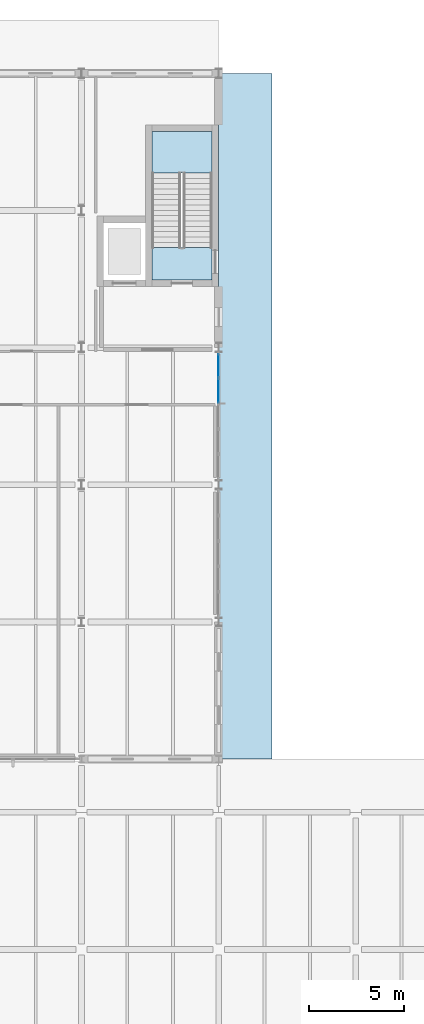
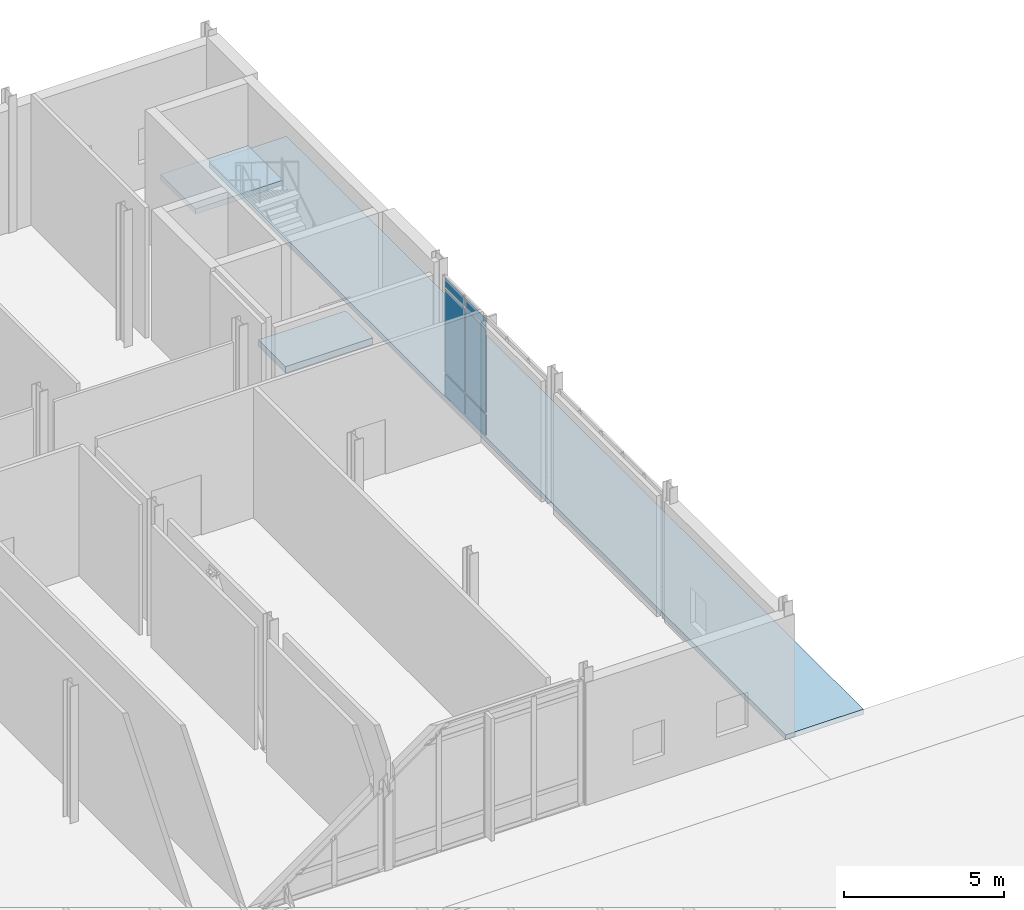
# One storey, part 48 of 89: 6 plates, 3 slabs, 2 elements without a shape of their own.
"""IFC4 building model written with IfcOpenShell, lengths in metres."""

from ifc_helpers import new_model, si_unit, direction, frame, origin, origin_2d, place, context, subcontext, project, spatial, polyline, rectangle, outline, extrude, material, layer, layer_set, type_object, element, aggregate, save


model = new_model("IFC4")

# Units and contexts
model_context = context("Model", 3, precision=1e-05, world=origin(), true_north=direction((0.0, 1.0)))
body_context = subcontext(model_context, "Body", "Model", "MODEL_VIEW")
ifc_project = project(units=[si_unit("LENGTHUNIT", "METRE"), si_unit("AREAUNIT", "SQUARE_METRE"), si_unit("VOLUMEUNIT", "CUBIC_METRE"), si_unit("PLANEANGLEUNIT", "RADIAN"), si_unit("MASSUNIT", "GRAM", prefix="KILO")], contexts=[model_context])

# Site, building, storey
site_placement = place(None, origin())
site = spatial("IfcSite", under=ifc_project, at=site_placement, CompositionType="ELEMENT")
building_placement = place(site_placement, origin())
building = spatial("IfcBuilding", under=site, at=building_placement, Name="Zarrinpeak Specialist Clinic", CompositionType="ELEMENT")
storey_placement = place(building_placement, origin())
storey = spatial("IfcBuildingStorey", under=building, at=storey_placement, Name="L00", CompositionType="ELEMENT", Elevation=0.0)

# Curtain wall, plates
ifc_material_1 = material(Name="Anodised Aluminium Alloy 6063-T6", Category="aluminium")
ifc_layer_1 = layer(ifc_material_1, 0.1650390625)
ifc_layer_set_1 = layer_set([ifc_layer_1], Name="Anodised Aluminium Alloy 6063-T6")
curtain_wall_type = type_object("IfcCurtainWallType", Name="CW-CLINIC", PredefinedType="NOTDEFINED", material=ifc_layer_set_1)
curtain_wall_placement = place(storey_placement, origin())
curtain_wall = element("IfcCurtainWall", 1, at=curtain_wall_placement, inside=storey, type_object=curtain_wall_type, Name="L00 V6 Unitised Curtain Wall CW-L00-V6-134", PredefinedType="NOTDEFINED")
ifc_material_2 = material(Name="Double Low-E Insulated Glazing", Category="glass")
ifc_layer_2 = layer(ifc_material_2, 0.028076171875)
ifc_layer_set_2 = layer_set([ifc_layer_2], Name="Double Low-E Insulated Glazing")
plate_type = type_object("IfcPlateType", Name="CWP-GLZ28", PredefinedType="CURTAIN_PANEL", material=ifc_layer_set_2)
plate_1_placement = place(storey_placement, frame((64.800048828125, 101.330078125, 0.074951171875), z_axis=(0.0, 0.0, 1.0), x_axis=(0.0, 1.0, 0.0)))
plate_1 = element("IfcPlate", 2, at=plate_1_placement, type_object=plate_type, Name="CW-03 panel 4.1", PredefinedType="CURTAIN_PANEL", context=body_context, shape_type="SweptSolid", body=[
    extrude(rectangle(XDim=1.2548828125, YDim=0.028076171875, at=origin_2d()), origin(), (0.0, 0.0, 1.0), 0.78759765625),
])
plate_2_placement = place(storey_placement, frame((64.800048828125, 101.330078125, 0.9375), z_axis=(0.0, 0.0, 1.0), x_axis=(0.0, 1.0, 0.0)))
plate_2 = element("IfcPlate", 3, at=plate_2_placement, type_object=plate_type, Name="CW-03 panel 4.2", PredefinedType="CURTAIN_PANEL", context=body_context, shape_type="SweptSolid", body=[
    extrude(rectangle(XDim=1.2548828125, YDim=0.028076171875, at=origin_2d()), origin(), (0.0, 0.0, 1.0), 3.169921875),
])
plate_3_placement = place(storey_placement, frame((64.800048828125, 101.330078125, 4.1826171875), z_axis=(0.0, 0.0, 1.0), x_axis=(0.0, 1.0, 0.0)))
plate_3 = element("IfcPlate", 4, at=plate_3_placement, type_object=plate_type, Name="CW-03 panel 4.3", PredefinedType="CURTAIN_PANEL", context=body_context, shape_type="SweptSolid", body=[
    extrude(rectangle(XDim=1.2548828125, YDim=0.028076171875, at=origin_2d()), origin(), (0.0, 0.0, 1.0), 0.33740234375),
])
plate_4_placement = place(storey_placement, frame((64.800048828125, 102.641357421875, 0.074951171875), z_axis=(0.0, 0.0, 1.0), x_axis=(0.0, 1.0, 0.0)))
plate_4 = element("IfcPlate", 5, at=plate_4_placement, type_object=plate_type, Name="CW-03 panel 5.1", PredefinedType="CURTAIN_PANEL", context=body_context, shape_type="SweptSolid", body=[
    extrude(rectangle(XDim=1.217529296875, YDim=0.028076171875, at=origin_2d()), origin(), (0.0, 0.0, 1.0), 0.78759765625),
])
plate_5_placement = place(storey_placement, frame((64.800048828125, 102.641357421875, 0.9375), z_axis=(0.0, 0.0, 1.0), x_axis=(0.0, 1.0, 0.0)))
plate_5 = element("IfcPlate", 6, at=plate_5_placement, type_object=plate_type, Name="CW-03 panel 5.2", PredefinedType="CURTAIN_PANEL", context=body_context, shape_type="SweptSolid", body=[
    extrude(rectangle(XDim=1.217529296875, YDim=0.028076171875, at=origin_2d()), origin(), (0.0, 0.0, 1.0), 3.169921875),
])
plate_6_placement = place(storey_placement, frame((64.800048828125, 102.641357421875, 4.1826171875), z_axis=(0.0, 0.0, 1.0), x_axis=(0.0, 1.0, 0.0)))
plate_6 = element("IfcPlate", 7, at=plate_6_placement, type_object=plate_type, Name="CW-03 panel 5.3", PredefinedType="CURTAIN_PANEL", context=body_context, shape_type="SweptSolid", body=[
    extrude(rectangle(XDim=1.217529296875, YDim=0.028076171875, at=origin_2d()), origin(), (0.0, 0.0, 1.0), 0.33740234375),
])
aggregate(curtain_wall, [plate_1, plate_2, plate_3, plate_4, plate_5, plate_6])

# Slab
ifc_material_3 = material(Name="Concrete C35/45", Category="concrete")
ifc_layer_3 = layer(ifc_material_3, 0.25)
ifc_layer_set_3 = layer_set([ifc_layer_3], Name="Concrete C35/45")
slab_type_1 = type_object("IfcSlabType", Name="SL-FLR250", PredefinedType="FLOOR", material=ifc_layer_set_3)
slab_1_placement = place(storey_placement, frame((0.0, 0.0, -0.25)))
element("IfcSlab", 8, at=slab_1_placement, inside=storey, type_object=slab_type_1, Name="L00 Core C12 Stairwell Floor Landing Slab", PredefinedType="FLOOR", context=body_context, shape_type="SweptSolid", body=[
    extrude(outline(polyline([(61.300048828125, 107.14990234375), (64.449951171875, 107.14990234375), (64.449951171875, 108.85009765625), (61.300048828125, 108.85009765625), (61.300048828125, 107.14990234375)])), origin(), (0.0, 0.0, 1.0), 0.25),
])

# Stair, slab
stair_type = type_object("IfcStairType", Name="ST-DOG", PredefinedType="HALF_TURN_STAIR", material=ifc_material_3)
stair_placement = place(storey_placement, origin())
stair = element("IfcStair", 9, at=stair_placement, inside=storey, type_object=stair_type, Name="L00 Protected Exit Stair ST-12", PredefinedType="HALF_TURN_STAIR")
ifc_layer_4 = layer(ifc_material_3, 0.199951171875)
ifc_layer_set_4 = layer_set([ifc_layer_4], Name="Concrete C35/45")
slab_type_2 = type_object("IfcSlabType", Name="SL-LAND200", PredefinedType="LANDING", material=ifc_layer_set_4)
slab_2_placement = place(storey_placement, frame((0.0, 0.0, 2.39990234375)))
slab_2 = element("IfcSlab", 10, at=slab_2_placement, type_object=slab_type_2, Name="ST-12 landing 1", PredefinedType="LANDING", context=body_context, shape_type="SweptSolid", body=[
    extrude(outline(polyline([(64.449951171875, 112.77001953125), (64.449951171875, 114.949951171875), (61.300048828125, 114.949951171875), (61.300048828125, 112.77001953125), (64.449951171875, 112.77001953125)])), origin(), (0.0, 0.0, 1.0), 0.2001953125),
])
aggregate(stair, [slab_2])

# Slab
ifc_layer_5 = layer(ifc_material_3, 0.195068359375)
ifc_layer_set_5 = layer_set([ifc_layer_5], Name="Concrete C35/45")
slab_type_3 = type_object("IfcSlabType", Name="SL-TER195", PredefinedType="FLOOR", material=ifc_layer_set_5)
slab_3_placement = place(storey_placement, frame((0.0, 0.0, -0.195068359375)))
element("IfcSlab", 11, at=slab_3_placement, inside=storey, type_object=slab_type_3, Name="L00 V6 North-East Exit Apron Slab", PredefinedType="FLOOR", context=body_context, shape_type="SweptSolid", body=[
    extrude(outline(polyline([(64.800048828125, 82.0), (67.60009765625, 82.0), (67.60009765625, 118.0), (64.800048828125, 118.0), (64.800048828125, 82.0)])), origin(), (0.0, 0.0, 1.0), 0.195068359375),
])

save(model, "model.ifc")
